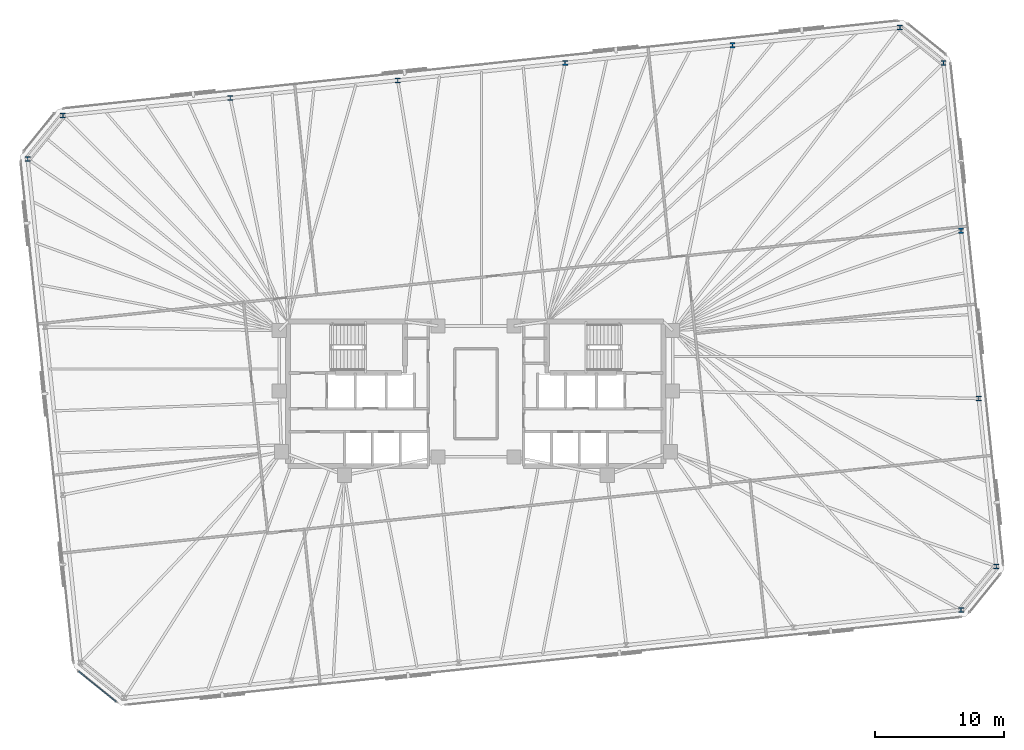
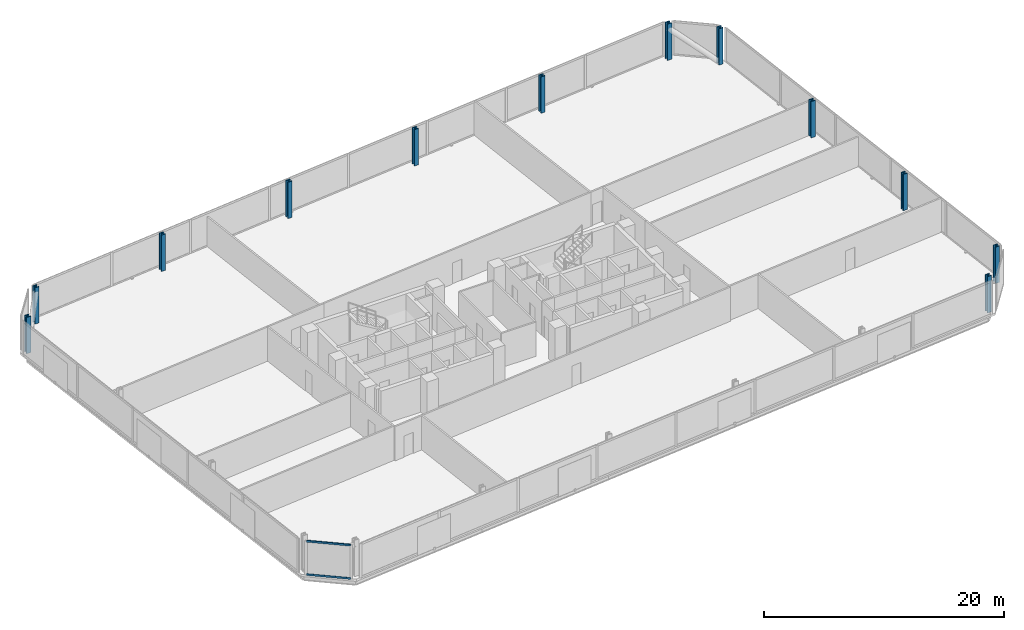
# One storey, part 5 of 18: 12 columns, 2 members, 1 element without a shape of its own.
"""IFC4 building model written with IfcOpenShell, lengths in metres."""

from ifc_helpers import new_model, si_unit, direction, frame, origin, origin_2d, place, context, subcontext, project, spatial, rectangle, i_section, extrude, material, material_profile, profile_set, type_object, element, aggregate, save


model = new_model("IFC4")

# Units and contexts
model_context = context("Model", 3, precision=1e-05, world=origin(), true_north=direction((0.0, 1.0)))
body_context = subcontext(model_context, "Body", "Model", "MODEL_VIEW")
ifc_project = project(units=[si_unit("LENGTHUNIT", "METRE"), si_unit("AREAUNIT", "SQUARE_METRE"), si_unit("VOLUMEUNIT", "CUBIC_METRE"), si_unit("PLANEANGLEUNIT", "RADIAN"), si_unit("MASSUNIT", "GRAM", prefix="KILO")], contexts=[model_context])

# Site, building, storey
site_placement = place(None, origin())
site = spatial("IfcSite", under=ifc_project, at=site_placement, CompositionType="ELEMENT")
building_placement = place(site_placement, origin())
building = spatial("IfcBuilding", under=site, at=building_placement, Name="Menara Jurai Vektor", CompositionType="ELEMENT")
storey_placement = place(building_placement, frame((0.0, 0.0, 91.10009765625)))
storey = spatial("IfcBuildingStorey", under=building, at=storey_placement, Name="L22", CompositionType="ELEMENT", Elevation=91.10009765625)

# Columns
ifc_material_1 = material(Name="Steel S460", Category="steel")
ifc_material_profile_1 = material_profile(ifc_material_1, i_section(OverallWidth=0.4130859375, OverallDepth=0.39794921875, WebThickness=0.055908203125, FlangeThickness=0.089111328125, FilletRadius=0.014892578125, at=origin_2d()), Name="HD 400x744")
ifc_profile_set_1 = profile_set([ifc_material_profile_1], Name="Steel S460")
column_type = type_object("IfcColumnType", Name="STR-EXO-BLK2", PredefinedType="COLUMN", material=ifc_profile_set_1)
for number, where, z_axis, x_axis, name in (
    (1, (37.621826171875, -16.76513671875, 0.0), (0.0, 0.0, 1.0), (1.0, 0.0, 0.0), "Exoskeleton Column BLK2-S6 L22"),
    (2, (40.356201171875, -13.388671875, 0.0), (0.0, 0.0, 1.0), (1.0, 0.0, 0.0), "Exoskeleton Column BLK2-E1 L22"),
    (3, (38.98828125, -0.375, 0.0), (0.0, 0.0, 1.0), (1.0, 0.0, 0.0), "Exoskeleton Column BLK2-E2 L22"),
    (4, (37.62060546875, 12.638427734375, 0.0), (0.0, 0.0, 1.0), (1.0, 0.0, 0.0), "Exoskeleton Column BLK2-E3 L22"),
    (5, (36.252685546875, 25.65185546875, 0.0), (0.0, 0.0, 1.0), (1.0, 0.0, 0.0), "Exoskeleton Column BLK2-E4 L22"),
    (6, (32.876220703125, 28.38623046875, 0.0), (0.0, 0.0, 1.0), (1.0, 0.0, 0.0), "Exoskeleton Column BLK2-N1 L22"),
    (7, (19.896728515625, 27.02197265625, 0.0), (0.0, 0.0, 1.0), (1.0, 0.0, 0.0), "Exoskeleton Column BLK2-N2 L22"),
    (8, (6.9169921875, 25.65771484375, 0.0), (0.0, 0.0, 1.0), (1.0, 0.0, 0.0), "Exoskeleton Column BLK2-N3 L22"),
    (9, (-6.0625, 24.29345703125, 0.0), (0.0, 0.0, 1.0), (1.0, 0.0, 0.0), "Exoskeleton Column BLK2-N4 L22"),
    (10, (-19.042236328125, 22.929443359375, 0.0), (0.0, 0.0, 1.0), (1.0, 0.0, 0.0), "Exoskeleton Column BLK2-N5 L22"),
    (11, (-32.02197265625, 21.565185546875, 0.0), (0.0, 0.0, 1.0), (1.0, 0.0, 0.0), "Exoskeleton Column BLK2-N6 L22"),
    (12, (-34.756103515625, 18.188720703125, 0.0), (0.0, 0.0, 1.0), (1.0, 0.0, 0.0), "Exoskeleton Column BLK2-W1 L22"),
):
    element("IfcColumn", number, at=place(storey_placement, frame(where, z_axis=z_axis, x_axis=x_axis)), inside=storey, type_object=column_type, Name=name, PredefinedType="COLUMN", context=body_context, shape_type="SweptSolid", body=[
        extrude(i_section(OverallWidth=0.4130859375, OverallDepth=0.39794921875, WebThickness=0.055908203125, FlangeThickness=0.089111328125, FilletRadius=0.014892578125, at=origin_2d()), origin(), (0.0, 0.0, 1.0), 3.699951171875),
    ])

# Curtain wall, members
ifc_material_2 = material(Name="Anodised Pale Aluminium & Low-E Double Glazing", Category="aluminium")
curtain_wall_type = type_object("IfcCurtainWallType", Name="CW-BLK2", PredefinedType="NOTDEFINED", material=ifc_material_2)
curtain_wall_placement = place(storey_placement, origin())
curtain_wall = element("IfcCurtainWall", 13, at=curtain_wall_placement, inside=storey, type_object=curtain_wall_type, Name="Unitised Curtain Wall L22 F08", PredefinedType="NOTDEFINED")
ifc_material_3 = material(Name="Anodised Pale Aluminium Transom", Category="aluminium")
ifc_material_profile_2 = material_profile(ifc_material_3, rectangle(XDim=0.090087890625, YDim=0.18505859375, at=origin_2d()), Name="ALU TRN 90x185")
ifc_profile_set_2 = profile_set([ifc_material_profile_2], Name="Anodised Pale Aluminium Transom")
member_type = type_object("IfcMemberType", Name="CW-BLK2-TRN", PredefinedType="USERDEFINED", material=ifc_profile_set_2)
member_1_placement = place(storey_placement, frame((-30.80078125, -21.525634765625, 0.044921875), z_axis=(0.777128916205, -0.6293414396, 0.0), x_axis=(0.6293414396, 0.777128916205, 0.0)))
member_1 = element("IfcMember", 14, at=member_1_placement, type_object=member_type, Name="CW-02 transom 1.1", ObjectType="TRANSOM", PredefinedType="USERDEFINED", context=body_context, shape_type="SweptSolid", body=[
    extrude(rectangle(XDim=0.090087890625, YDim=0.18505859375, at=origin_2d()), origin(), (0.0, 0.0, 1.0), 3.726806640625),
])
member_2_placement = place(storey_placement, frame((-30.80078125, -21.525634765625, 3.429931640625), z_axis=(0.777128916205, -0.6293414396, 0.0), x_axis=(0.6293414396, 0.777128916205, 0.0)))
member_2 = element("IfcMember", 15, at=member_2_placement, type_object=member_type, Name="CW-02 transom 1.2", ObjectType="TRANSOM", PredefinedType="USERDEFINED", context=body_context, shape_type="SweptSolid", body=[
    extrude(rectangle(XDim=0.090087890625, YDim=0.18505859375, at=origin_2d()), origin(), (0.0, 0.0, 1.0), 3.726806640625),
])
aggregate(curtain_wall, [member_1, member_2])

save(model, "model.ifc")
